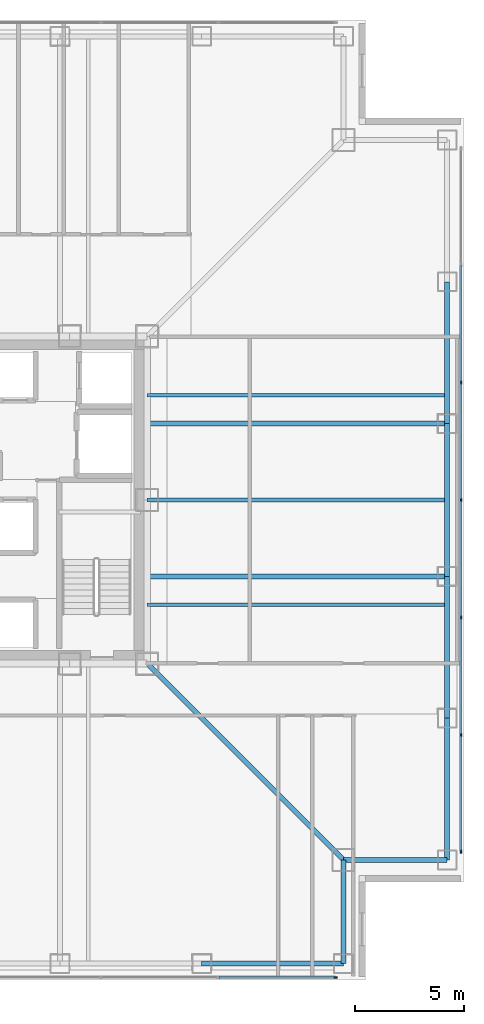
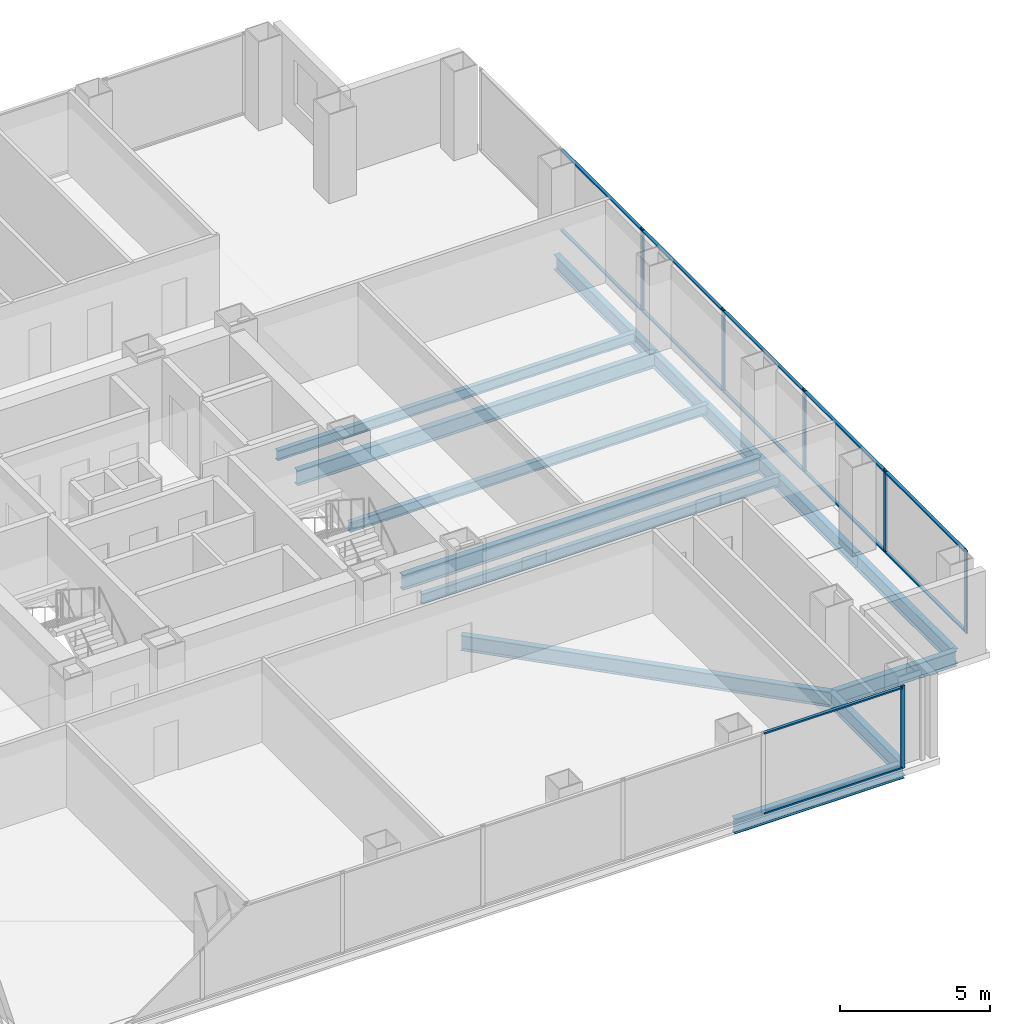
# One storey, part 6 of 14: 18 members, 13 beams, 2 elements without a shape of their own.
"""IFC4 building model written with IfcOpenShell, lengths in metres."""

from ifc_helpers import new_model, si_unit, direction, frame, origin, origin_2d, place, context, subcontext, project, spatial, rectangle, i_section, extrude, material, layer, layer_set, material_profile, profile_set, type_object, element, aggregate, save


model = new_model("IFC4")

# Units and contexts
model_context = context("Model", 3, precision=1e-05, world=origin(), true_north=direction((0.0, 1.0)))
body_context = subcontext(model_context, "Body", "Model", "MODEL_VIEW")
ifc_project = project(units=[si_unit("LENGTHUNIT", "METRE"), si_unit("AREAUNIT", "SQUARE_METRE"), si_unit("VOLUMEUNIT", "CUBIC_METRE"), si_unit("PLANEANGLEUNIT", "RADIAN"), si_unit("MASSUNIT", "GRAM", prefix="KILO")], contexts=[model_context])

# Site, building, storey
site_placement = place(None, origin())
site = spatial("IfcSite", under=ifc_project, at=site_placement, CompositionType="ELEMENT")
building_placement = place(site_placement, origin())
building = spatial("IfcBuilding", under=site, at=building_placement, Name="Trevonay Congress Spire", CompositionType="ELEMENT")
storey_placement = place(building_placement, frame((0.0, 0.0, 97.60009765625)))
storey = spatial("IfcBuildingStorey", under=building, at=storey_placement, Name="L24", CompositionType="ELEMENT", Elevation=97.60009765625)

# Beams
ifc_material_1 = material(Name="Steel ASTM A572 Grade 50", Category="steel")
ifc_material_profile_1 = material_profile(ifc_material_1, i_section(OverallWidth=0.22998046875, OverallDepth=0.616943359375, WebThickness=0.01318359375, FlangeThickness=0.022216796875, FilletRadius=0.01611328125, at=origin_2d()), Name="W610x140")
ifc_profile_set_1 = profile_set([ifc_material_profile_1], Name="Steel ASTM A572 Grade 50")
beam_type_1 = type_object("IfcBeamType", Name="BM-GIRD-W610X140", PredefinedType="BEAM", material=ifc_profile_set_1)
beam_1_placement = place(storey_placement, frame((7.5, -7.5, -0.548583984375), z_axis=(0.707106781187, -0.707106781187, 0.0), x_axis=(0.707106781187, 0.707106781187, 0.0)))
element("IfcBeam", 1, at=beam_1_placement, inside=storey, type_object=beam_type_1, Name="L24 structural beam BM-L24-CDSE", PredefinedType="BEAM", context=body_context, shape_type="SweptSolid", body=[
    extrude(i_section(OverallWidth=0.22998046875, OverallDepth=0.616943359375, WebThickness=0.01318359375, FlangeThickness=0.022216796875, FilletRadius=0.01611328125, at=origin_2d()), origin(), (0.0, 0.0, 1.0), 12.72802734375),
])
for number, where, z_axis, x_axis, name in (
    (2, (7.5, -3.5, -0.548583984375), (1.0, 0.0, 0.0), (0.0, 1.0, 0.0), "L24 structural beam BM-L24-GE-M"),
    (3, (7.5, 3.5, -0.548583984375), (1.0, 0.0, 0.0), (0.0, 1.0, 0.0), "L24 structural beam BM-L24-GE-P"),
):
    element("IfcBeam", number, at=place(storey_placement, frame(where, z_axis=z_axis, x_axis=x_axis)), inside=storey, type_object=beam_type_1, Name=name, PredefinedType="BEAM", context=body_context, shape_type="SweptSolid", body=[
        extrude(i_section(OverallWidth=0.22998046875, OverallDepth=0.616943359375, WebThickness=0.01318359375, FlangeThickness=0.022216796875, FilletRadius=0.01611328125, at=origin_2d()), origin(), (0.0, 0.0, 1.0), 13.75),
    ])
ifc_material_profile_2 = material_profile(ifc_material_1, i_section(OverallWidth=0.22802734375, OverallDepth=0.60791015625, WebThickness=0.01123046875, FlangeThickness=0.017333984375, FilletRadius=0.01611328125, at=origin_2d()), Name="W610x113")
ifc_profile_set_2 = profile_set([ifc_material_profile_2], Name="Steel ASTM A572 Grade 50")
beam_type_2 = type_object("IfcBeamType", Name="BM-RING-W610X113", PredefinedType="BEAM", material=ifc_profile_set_2)
for number, where, z_axis, x_axis, name in (
    (4, (21.25, -16.5, -0.544189453125), (0.0, 1.0, 0.0), (-1.0, 0.0, 0.0), "L24 structural beam BM-L24-PE1"),
    (5, (21.25, -10.0, -0.544189453125), (0.0, 1.0, 0.0), (-1.0, 0.0, 0.0), "L24 structural beam BM-L24-PE2"),
):
    element("IfcBeam", number, at=place(storey_placement, frame(where, z_axis=z_axis, x_axis=x_axis)), inside=storey, type_object=beam_type_2, Name=name, PredefinedType="BEAM", context=body_context, shape_type="SweptSolid", body=[
        extrude(i_section(OverallWidth=0.22802734375, OverallDepth=0.60791015625, WebThickness=0.01123046875, FlangeThickness=0.017333984375, FilletRadius=0.01611328125, at=origin_2d()), origin(), (0.0, 0.0, 1.0), 6.5),
    ])
beam_2_placement = place(storey_placement, frame((21.25, -3.5, -0.544189453125), z_axis=(0.0, 1.0, 0.0), x_axis=(-1.0, 0.0, 0.0)))
element("IfcBeam", 6, at=beam_2_placement, inside=storey, type_object=beam_type_2, Name="L24 structural beam BM-L24-PE3", PredefinedType="BEAM", context=body_context, shape_type="SweptSolid", body=[
    extrude(i_section(OverallWidth=0.22802734375, OverallDepth=0.60791015625, WebThickness=0.01123046875, FlangeThickness=0.017333984375, FilletRadius=0.01611328125, at=origin_2d()), origin(), (0.0, 0.0, 1.0), 7.0),
])
for number, where, z_axis, x_axis, name in (
    (7, (21.25, 3.5, -0.544189453125), (0.0, 1.0, 0.0), (-1.0, 0.0, 0.0), "L24 structural beam BM-L24-PE4"),
    (8, (10.0, -21.25, -0.544189453125), (1.0, 0.0, 0.0), (0.0, 1.0, 0.0), "L24 structural beam BM-L24-PS5"),
):
    element("IfcBeam", number, at=place(storey_placement, frame(where, z_axis=z_axis, x_axis=x_axis)), inside=storey, type_object=beam_type_2, Name=name, PredefinedType="BEAM", context=body_context, shape_type="SweptSolid", body=[
        extrude(i_section(OverallWidth=0.22802734375, OverallDepth=0.60791015625, WebThickness=0.01123046875, FlangeThickness=0.017333984375, FilletRadius=0.01611328125, at=origin_2d()), origin(), (0.0, 0.0, 1.0), 6.5),
    ])
for number, where, z_axis, x_axis, name in (
    (9, (16.5, -21.25, -0.544189453125), (0.0, 1.0, 0.0), (-1.0, 0.0, 0.0), "L24 structural beam BM-L24-N1SE"),
    (10, (21.25, -16.5, -0.544189453125), (-1.0, 0.0, 0.0), (0.0, -1.0, 0.0), "L24 structural beam BM-L24-N2SE"),
):
    element("IfcBeam", number, at=place(storey_placement, frame(where, z_axis=z_axis, x_axis=x_axis)), inside=storey, type_object=beam_type_2, Name=name, PredefinedType="BEAM", context=body_context, shape_type="SweptSolid", body=[
        extrude(i_section(OverallWidth=0.22802734375, OverallDepth=0.60791015625, WebThickness=0.01123046875, FlangeThickness=0.017333984375, FilletRadius=0.01611328125, at=origin_2d()), origin(), (0.0, 0.0, 1.0), 4.75),
    ])

# Curtain wall, member
ifc_material_2 = material(Name="Pale Anodised Aluminium EN AW-6063-T6", Category="aluminium")
ifc_layer = layer(ifc_material_2, 0.175048828125, Name="Pale Anodised Aluminium EN AW-6063-T6")
ifc_layer_set = layer_set([ifc_layer], Name="Pale Anodised Aluminium EN AW-6063-T6")
curtain_wall_type = type_object("IfcCurtainWallType", Name="CW-SYS03-CONGRESS-PALE-METAL", PredefinedType="NOTDEFINED", material=ifc_layer_set)
curtain_wall_1_placement = place(storey_placement, origin())
curtain_wall_1 = element("IfcCurtainWall", 11, at=curtain_wall_1_placement, inside=storey, type_object=curtain_wall_type, Name="L24 S unitised curtain wall", PredefinedType="NOTDEFINED")
ifc_material_profile_3 = material_profile(ifc_material_2, rectangle(XDim=0.06005859375, YDim=0.159912109375, at=origin_2d()), Name="CW-MULLION-160-ALUMINIUM")
ifc_profile_set_3 = profile_set([ifc_material_profile_3], Name="Pale Anodised Aluminium EN AW-6063-T6")
member_type_1 = type_object("IfcMemberType", Name="CW-MULLION-160-ALUMINIUM", PredefinedType="MULLION", material=ifc_profile_set_3)
member_1_placement = place(storey_placement, frame((16.1201171875, -21.8798828125, 0.0), z_axis=(0.0, 0.0, 1.0), x_axis=(0.0, 1.0, 0.0)))
member_1 = element("IfcMember", 12, at=member_1_placement, type_object=member_type_1, Name="CW03 mullion 7", PredefinedType="MULLION", context=body_context, shape_type="SweptSolid", body=[
    extrude(rectangle(XDim=0.06005859375, YDim=0.159912109375, at=origin_2d()), origin(), (0.0, 0.0, 1.0), 3.35986328125),
])

# Curtain wall, members
curtain_wall_2_placement = place(storey_placement, origin())
curtain_wall_2 = element("IfcCurtainWall", 13, at=curtain_wall_2_placement, inside=storey, type_object=curtain_wall_type, Name="L24 E unitised curtain wall", PredefinedType="NOTDEFINED")
member_2_placement = place(storey_placement, frame((21.8798828125, -16.1201171875, 0.0), z_axis=(0.0, 0.0, 1.0), x_axis=(-1.0, 0.0, 0.0)))
member_2 = element("IfcMember", 14, at=member_2_placement, type_object=member_type_1, Name="CW03 mullion 1", PredefinedType="MULLION", context=body_context, shape_type="SweptSolid", body=[
    extrude(rectangle(XDim=0.06005859375, YDim=0.159912109375, at=origin_2d()), origin(), (0.0, 0.0, 1.0), 3.35986328125),
])
member_3_placement = place(storey_placement, frame((21.8798828125, -10.7666015625, 0.0), z_axis=(0.0, 0.0, 1.0), x_axis=(-1.0, 0.0, 0.0)))
member_3 = element("IfcMember", 15, at=member_3_placement, type_object=member_type_1, Name="CW03 mullion 2", PredefinedType="MULLION", context=body_context, shape_type="SweptSolid", body=[
    extrude(rectangle(XDim=0.06005859375, YDim=0.159912109375, at=origin_2d()), origin(), (0.0, 0.0, 1.0), 3.35986328125),
])
member_4_placement = place(storey_placement, frame((21.8798828125, -5.38330078125, 0.0), z_axis=(0.0, 0.0, 1.0), x_axis=(-1.0, 0.0, 0.0)))
member_4 = element("IfcMember", 16, at=member_4_placement, type_object=member_type_1, Name="CW03 mullion 3", PredefinedType="MULLION", context=body_context, shape_type="SweptSolid", body=[
    extrude(rectangle(XDim=0.06005859375, YDim=0.159912109375, at=origin_2d()), origin(), (0.0, 0.0, 1.0), 3.35986328125),
])
member_5_placement = place(storey_placement, frame((21.8798828125, 0.0, 0.0), z_axis=(0.0, 0.0, 1.0), x_axis=(-1.0, 0.0, 0.0)))
member_5 = element("IfcMember", 17, at=member_5_placement, type_object=member_type_1, Name="CW03 mullion 4", PredefinedType="MULLION", context=body_context, shape_type="SweptSolid", body=[
    extrude(rectangle(XDim=0.06005859375, YDim=0.159912109375, at=origin_2d()), origin(), (0.0, 0.0, 1.0), 3.35986328125),
])
member_6_placement = place(storey_placement, frame((21.8798828125, 5.38330078125, 0.0), z_axis=(0.0, 0.0, 1.0), x_axis=(-1.0, 0.0, 0.0)))
member_6 = element("IfcMember", 18, at=member_6_placement, type_object=member_type_1, Name="CW03 mullion 5", PredefinedType="MULLION", context=body_context, shape_type="SweptSolid", body=[
    extrude(rectangle(XDim=0.06005859375, YDim=0.159912109375, at=origin_2d()), origin(), (0.0, 0.0, 1.0), 3.35986328125),
])

# Member
ifc_material_profile_4 = material_profile(ifc_material_2, rectangle(XDim=0.1201171875, YDim=0.06005859375, at=origin_2d()), Name="CW-TRANSOM-120-ALUMINIUM")
ifc_profile_set_4 = profile_set([ifc_material_profile_4], Name="Pale Anodised Aluminium EN AW-6063-T6")
member_type_2 = type_object("IfcMemberType", Name="CW-TRANSOM-120-ALUMINIUM", PredefinedType="USERDEFINED", material=ifc_profile_set_4)
member_7_placement = place(storey_placement, frame((10.796630859375, -21.8798828125, 0.059814453125), z_axis=(1.0, 0.0, 0.0), x_axis=(0.0, 1.0, 0.0)))
member_7 = element("IfcMember", 19, at=member_7_placement, type_object=member_type_2, Name="CW03 transom 6.1", ObjectType="TRANSOM", PredefinedType="USERDEFINED", context=body_context, shape_type="SweptSolid", body=[
    extrude(rectangle(XDim=0.1201171875, YDim=0.06005859375, at=origin_2d()), origin(), (0.0, 0.0, 1.0), 5.29345703125),
])

member_8_placement = place(storey_placement, frame((10.796630859375, -21.8798828125, 3.2998046875), z_axis=(1.0, 0.0, 0.0), x_axis=(0.0, 1.0, 0.0)))
member_8 = element("IfcMember", 20, at=member_8_placement, type_object=member_type_2, Name="CW03 transom 6.2", ObjectType="TRANSOM", PredefinedType="USERDEFINED", context=body_context, shape_type="SweptSolid", body=[
    extrude(rectangle(XDim=0.1201171875, YDim=0.06005859375, at=origin_2d()), origin(), (0.0, 0.0, 1.0), 5.29345703125),
])

aggregate(curtain_wall_1, [member_1, member_7, member_8])

member_9_placement = place(storey_placement, frame((21.8798828125, -16.090087890625, 0.059814453125), z_axis=(0.0, 1.0, 0.0), x_axis=(-1.0, 0.0, 0.0)))
member_9 = element("IfcMember", 21, at=member_9_placement, type_object=member_type_2, Name="CW03 transom 1.1", ObjectType="TRANSOM", PredefinedType="USERDEFINED", context=body_context, shape_type="SweptSolid", body=[
    extrude(rectangle(XDim=0.1201171875, YDim=0.06005859375, at=origin_2d()), origin(), (0.0, 0.0, 1.0), 5.29345703125),
])

member_10_placement = place(storey_placement, frame((21.8798828125, -16.090087890625, 3.2998046875), z_axis=(0.0, 1.0, 0.0), x_axis=(-1.0, 0.0, 0.0)))
member_10 = element("IfcMember", 22, at=member_10_placement, type_object=member_type_2, Name="CW03 transom 1.2", ObjectType="TRANSOM", PredefinedType="USERDEFINED", context=body_context, shape_type="SweptSolid", body=[
    extrude(rectangle(XDim=0.1201171875, YDim=0.06005859375, at=origin_2d()), origin(), (0.0, 0.0, 1.0), 5.29345703125),
])

member_11_placement = place(storey_placement, frame((21.8798828125, -10.736572265625, 0.059814453125), z_axis=(0.0, 1.0, 0.0), x_axis=(-1.0, 0.0, 0.0)))
member_11 = element("IfcMember", 23, at=member_11_placement, type_object=member_type_2, Name="CW03 transom 2.1", ObjectType="TRANSOM", PredefinedType="USERDEFINED", context=body_context, shape_type="SweptSolid", body=[
    extrude(rectangle(XDim=0.1201171875, YDim=0.06005859375, at=origin_2d()), origin(), (0.0, 0.0, 1.0), 5.3232421875),
])

member_12_placement = place(storey_placement, frame((21.8798828125, -10.736572265625, 3.2998046875), z_axis=(0.0, 1.0, 0.0), x_axis=(-1.0, 0.0, 0.0)))
member_12 = element("IfcMember", 24, at=member_12_placement, type_object=member_type_2, Name="CW03 transom 2.2", ObjectType="TRANSOM", PredefinedType="USERDEFINED", context=body_context, shape_type="SweptSolid", body=[
    extrude(rectangle(XDim=0.1201171875, YDim=0.06005859375, at=origin_2d()), origin(), (0.0, 0.0, 1.0), 5.3232421875),
])

member_13_placement = place(storey_placement, frame((21.8798828125, -5.353271484375, 0.059814453125), z_axis=(0.0, 1.0, 0.0), x_axis=(-1.0, 0.0, 0.0)))
member_13 = element("IfcMember", 25, at=member_13_placement, type_object=member_type_2, Name="CW03 transom 3.1", ObjectType="TRANSOM", PredefinedType="USERDEFINED", context=body_context, shape_type="SweptSolid", body=[
    extrude(rectangle(XDim=0.1201171875, YDim=0.06005859375, at=origin_2d()), origin(), (0.0, 0.0, 1.0), 5.3232421875),
])

member_14_placement = place(storey_placement, frame((21.8798828125, -5.353271484375, 3.2998046875), z_axis=(0.0, 1.0, 0.0), x_axis=(-1.0, 0.0, 0.0)))
member_14 = element("IfcMember", 26, at=member_14_placement, type_object=member_type_2, Name="CW03 transom 3.2", ObjectType="TRANSOM", PredefinedType="USERDEFINED", context=body_context, shape_type="SweptSolid", body=[
    extrude(rectangle(XDim=0.1201171875, YDim=0.06005859375, at=origin_2d()), origin(), (0.0, 0.0, 1.0), 5.3232421875),
])

member_15_placement = place(storey_placement, frame((21.8798828125, 0.030029296875, 0.059814453125), z_axis=(0.0, 1.0, 0.0), x_axis=(-1.0, 0.0, 0.0)))
member_15 = element("IfcMember", 27, at=member_15_placement, type_object=member_type_2, Name="CW03 transom 4.1", ObjectType="TRANSOM", PredefinedType="USERDEFINED", context=body_context, shape_type="SweptSolid", body=[
    extrude(rectangle(XDim=0.1201171875, YDim=0.06005859375, at=origin_2d()), origin(), (0.0, 0.0, 1.0), 5.3232421875),
])

member_16_placement = place(storey_placement, frame((21.8798828125, 0.030029296875, 3.2998046875), z_axis=(0.0, 1.0, 0.0), x_axis=(-1.0, 0.0, 0.0)))
member_16 = element("IfcMember", 28, at=member_16_placement, type_object=member_type_2, Name="CW03 transom 4.2", ObjectType="TRANSOM", PredefinedType="USERDEFINED", context=body_context, shape_type="SweptSolid", body=[
    extrude(rectangle(XDim=0.1201171875, YDim=0.06005859375, at=origin_2d()), origin(), (0.0, 0.0, 1.0), 5.3232421875),
])

member_17_placement = place(storey_placement, frame((21.8798828125, 5.413330078125, 0.059814453125), z_axis=(0.0, 1.0, 0.0), x_axis=(-1.0, 0.0, 0.0)))
member_17 = element("IfcMember", 29, at=member_17_placement, type_object=member_type_2, Name="CW03 transom 5.1", ObjectType="TRANSOM", PredefinedType="USERDEFINED", context=body_context, shape_type="SweptSolid", body=[
    extrude(rectangle(XDim=0.1201171875, YDim=0.06005859375, at=origin_2d()), origin(), (0.0, 0.0, 1.0), 5.3232421875),
])

member_18_placement = place(storey_placement, frame((21.8798828125, 5.413330078125, 3.2998046875), z_axis=(0.0, 1.0, 0.0), x_axis=(-1.0, 0.0, 0.0)))
member_18 = element("IfcMember", 30, at=member_18_placement, type_object=member_type_2, Name="CW03 transom 5.2", ObjectType="TRANSOM", PredefinedType="USERDEFINED", context=body_context, shape_type="SweptSolid", body=[
    extrude(rectangle(XDim=0.1201171875, YDim=0.06005859375, at=origin_2d()), origin(), (0.0, 0.0, 1.0), 5.3232421875),
])

aggregate(curtain_wall_2, [member_2, member_3, member_4, member_5, member_6, member_9, member_10, member_11, member_12, member_13, member_14, member_15, member_16, member_17, member_18])

# Beams
ifc_material_profile_5 = material_profile(ifc_material_1, i_section(OverallWidth=0.177978515625, OverallDepth=0.406982421875, WebThickness=0.0078125, FlangeThickness=0.0126953125, FilletRadius=0.012939453125, at=origin_2d()), Name="W410x60")
ifc_profile_set_5 = profile_set([ifc_material_profile_5], Name="Steel ASTM A572 Grade 50")
beam_type_3 = type_object("IfcBeamType", Name="JS-COMP-W410X60", PredefinedType="JOIST", material=ifc_profile_set_5)
for number, where, z_axis, x_axis, name in (
    (31, (7.5, -4.800048828125, -0.443603515625), (1.0, 0.0, 0.0), (0.0, 1.0, 0.0), "L24 structural beam JS-L24-EW-E1"),
    (32, (7.5, 0.0, -0.443603515625), (1.0, 0.0, 0.0), (0.0, 1.0, 0.0), "L24 structural beam JS-L24-EW-E2"),
    (33, (7.5, 4.800048828125, -0.443603515625), (1.0, 0.0, 0.0), (0.0, 1.0, 0.0), "L24 structural beam JS-L24-EW-E3"),
):
    element("IfcBeam", number, at=place(storey_placement, frame(where, z_axis=z_axis, x_axis=x_axis)), inside=storey, type_object=beam_type_3, Name=name, PredefinedType="JOIST", context=body_context, shape_type="SweptSolid", body=[
        extrude(i_section(OverallWidth=0.177978515625, OverallDepth=0.406982421875, WebThickness=0.0078125, FlangeThickness=0.0126953125, FilletRadius=0.012939453125, at=origin_2d()), origin(), (0.0, 0.0, 1.0), 13.75),
    ])

save(model, "model.ifc")
